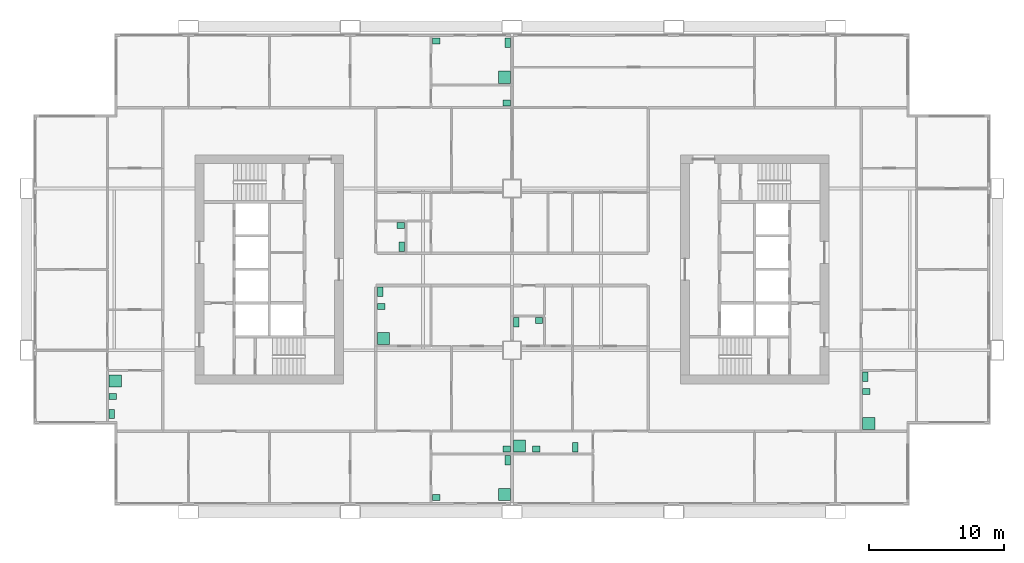
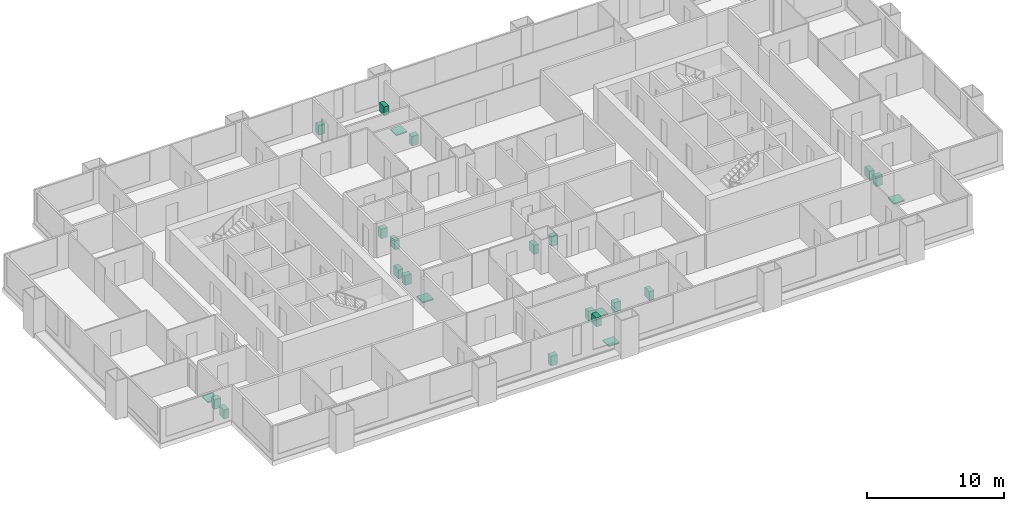
# One storey, part 11 of 11: 24 sanitary terminals.
"""IFC4 building model written with IfcOpenShell, lengths in metres."""

from ifc_helpers import new_model, si_unit, direction, frame, origin, origin_2d, place, context, subcontext, project, spatial, rectangle, extrude, material, type_object, element, save


model = new_model("IFC4")

# Units and contexts
model_context = context("Model", 3, precision=1e-05, world=origin(), true_north=direction((0.0, 1.0)))
body_context = subcontext(model_context, "Body", "Model", "MODEL_VIEW")
ifc_project = project(units=[si_unit("LENGTHUNIT", "METRE"), si_unit("AREAUNIT", "SQUARE_METRE"), si_unit("VOLUMEUNIT", "CUBIC_METRE"), si_unit("PLANEANGLEUNIT", "RADIAN"), si_unit("MASSUNIT", "GRAM", prefix="KILO")], contexts=[model_context])

# Site, building, storey
site_placement = place(None, origin())
site = spatial("IfcSite", under=ifc_project, at=site_placement, CompositionType="ELEMENT")
building_placement = place(site_placement, origin())
building = spatial("IfcBuilding", under=site, at=building_placement, Name="Kitamizu Gate Tower and Museum", CompositionType="ELEMENT")
storey_placement = place(building_placement, frame((0.0, 0.0, 103.5)))
storey = spatial("IfcBuildingStorey", under=building, at=storey_placement, Name="L26", CompositionType="ELEMENT", Elevation=103.5)

# Sanitary terminals
ifc_material_1 = material(Name="Acrylic")
sanitary_terminal_type_1 = type_object("IfcSanitaryTerminalType", Name="Shower tray", PredefinedType="SHOWER", material=ifc_material_1)
for number, where, z_axis, x_axis, name in (
    (1, (35.429931640625, 13.2900390625, 0.0009765625), (0.0, 0.0, 1.0), (1.0, 0.0, 0.0), "Shower tray En-suite bathroom and WC 26A"),
    (2, (26.469970703125, 24.8701171875, 0.0009765625), (0.0, 0.0, 1.0), (1.0, 0.0, 0.0), "Shower tray En-suite bathroom 26A"),
    (3, (6.570068359375, 21.72998046875, 0.0009765625), (0.0, 0.0, 1.0), (1.0, 0.0, 0.0), "Shower tray En-suite bathroom and WC 26B"),
    (4, (36.570068359375, 16.889892578125, 0.0009765625), (0.0, 0.0, 1.0), (1.0, 0.0, 0.0), "Shower tray En-suite bathroom 26C"),
    (5, (62.469970703125, 18.570068359375, 0.0009765625), (0.0, 0.0, 1.0), (1.0, 0.0, 0.0), "Shower tray En-suite bathroom and WC 26D"),
    (6, (35.429931640625, 44.25, 0.0009765625), (0.0, 0.0, 1.0), (1.0, 0.0, 0.0), "Shower tray En-suite bathroom 26E"),
):
    element("IfcSanitaryTerminal", number, at=place(storey_placement, frame(where, z_axis=z_axis, x_axis=x_axis)), inside=storey, type_object=sanitary_terminal_type_1, Name=name, PredefinedType="SHOWER", context=body_context, shape_type="SweptSolid", body=[
        extrude(rectangle(XDim=0.89990234375, YDim=0.89990234375, at=origin_2d()), origin(), (0.0, 0.0, 1.0), 0.10009765625),
    ])
ifc_material_2 = material(Name="Vitreous china")
sanitary_terminal_type_2 = type_object("IfcSanitaryTerminalType", Name="Wash hand basin", PredefinedType="WASHHANDBASIN", material=ifc_material_2)
for number, where, z_axis, x_axis, name in (
    (7, (30.39501953125, 13.06494140625, 0.0009765625), (0.0, 0.0, 1.0), (1.0, 0.0, 0.0), "Wash hand basin En-suite bathroom and WC 26A"),
    (8, (35.60498046875, 16.6650390625, 0.0009765625), (0.0, 0.0, 1.0), (1.0, 0.0, 0.0), "Wash hand basin Wash room 26A"),
    (9, (26.294921875, 27.2548828125, 0.0009765625), (0.0, 0.0, 1.0), (1.0, 0.0, 0.0), "Wash hand basin En-suite bathroom 26A"),
    (10, (6.39501953125, 20.554931640625, 0.0009765625), (0.0, 0.0, 1.0), (1.0, 0.0, 0.0), "Wash hand basin En-suite bathroom and WC 26B"),
    (11, (37.794921875, 16.6650390625, 0.0009765625), (0.0, 0.0, 1.0), (1.0, 0.0, 0.0), "Wash hand basin En-suite bathroom 26C"),
    (12, (38.0048828125, 26.205078125, 0.0009765625), (0.0, 0.0, 1.0), (1.0, 0.0, 0.0), "Wash hand basin WC 26C"),
    (13, (62.294921875, 20.955078125, 0.0009765625), (0.0, 0.0, 1.0), (1.0, 0.0, 0.0), "Wash hand basin En-suite bathroom and WC 26D"),
    (14, (30.39501953125, 46.93505859375, 0.0009765625), (0.0, 0.0, 1.0), (1.0, 0.0, 0.0), "Wash hand basin En-suite bathroom 26E"),
    (15, (35.60498046875, 42.344970703125, 0.0009765625), (0.0, 0.0, 1.0), (1.0, 0.0, 0.0), "Wash hand basin Wash room 26E"),
    (16, (27.7548828125, 33.2548828125, 0.0009765625), (0.0, 0.0, 1.0), (1.0, 0.0, 0.0), "Wash hand basin WC 26E"),
):
    element("IfcSanitaryTerminal", number, at=place(storey_placement, frame(where, z_axis=z_axis, x_axis=x_axis)), inside=storey, type_object=sanitary_terminal_type_2, Name=name, PredefinedType="WASHHANDBASIN", context=body_context, shape_type="SweptSolid", body=[
        extrude(rectangle(XDim=0.550048828125, YDim=0.449951171875, at=origin_2d()), origin(), (0.0, 0.0, 1.0), 0.85009765625),
    ])
ifc_material_3 = material(Name="Vitreous china")
sanitary_terminal_type_3 = type_object("IfcSanitaryTerminalType", Name="Water closet", PredefinedType="TOILETPAN", material=ifc_material_3)
for number, where, z_axis, x_axis, name in (
    (17, (35.679931640625, 15.85009765625, 0.0009765625), (0.0, 0.0, 1.0), (1.0, 0.0, 0.0), "Water closet En-suite bathroom and WC 26A"),
    (18, (26.219970703125, 28.330078125, 0.0009765625), (0.0, 0.0, 1.0), (1.0, 0.0, 0.0), "Water closet En-suite bathroom 26A"),
    (19, (6.320068359375, 19.27001953125, 0.0009765625), (0.0, 0.0, 1.0), (1.0, 0.0, 0.0), "Water closet En-suite bathroom and WC 26B"),
    (20, (40.679931640625, 16.7900390625, 0.0009765625), (0.0, 0.0, 1.0), (1.0, 0.0, 0.0), "Water closet En-suite bathroom 26C"),
    (21, (36.320068359375, 26.080078125, 0.0009765625), (0.0, 0.0, 1.0), (1.0, 0.0, 0.0), "Water closet WC 26C"),
    (22, (62.219970703125, 22.030029296875, 0.0009765625), (0.0, 0.0, 1.0), (1.0, 0.0, 0.0), "Water closet En-suite bathroom and WC 26D"),
    (23, (35.679931640625, 46.81005859375, 0.0009765625), (0.0, 0.0, 1.0), (1.0, 0.0, 0.0), "Water closet En-suite bathroom 26E"),
    (24, (27.830078125, 31.669921875, 0.0009765625), (0.0, 0.0, 1.0), (1.0, 0.0, 0.0), "Water closet WC 26E"),
):
    element("IfcSanitaryTerminal", number, at=place(storey_placement, frame(where, z_axis=z_axis, x_axis=x_axis)), inside=storey, type_object=sanitary_terminal_type_3, Name=name, PredefinedType="TOILETPAN", context=body_context, shape_type="SweptSolid", body=[
        extrude(rectangle(XDim=0.39990234375, YDim=0.699951171875, at=origin_2d()), origin(), (0.0, 0.0, 1.0), 0.800048828125),
    ])

save(model, "model.ifc")
